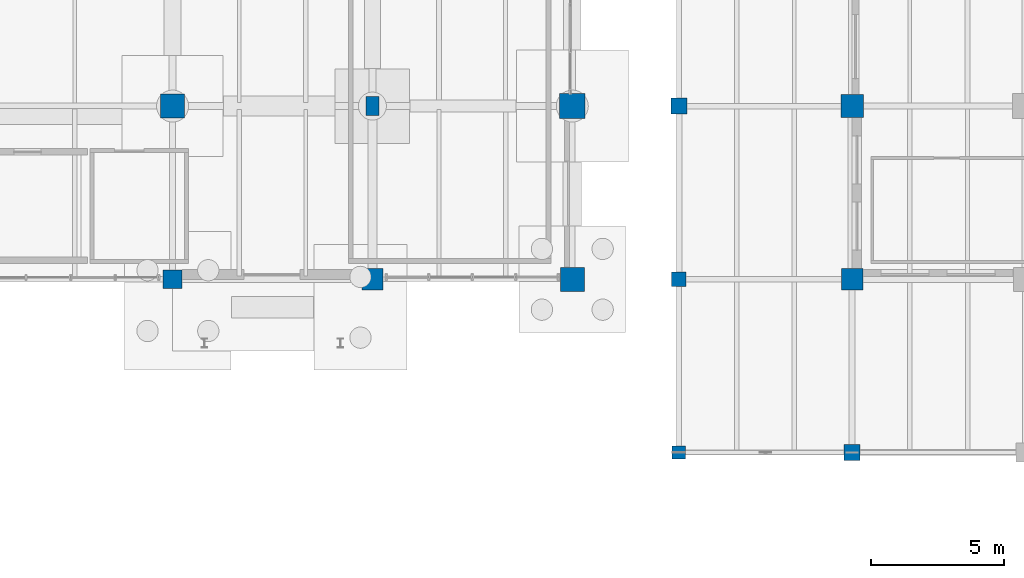
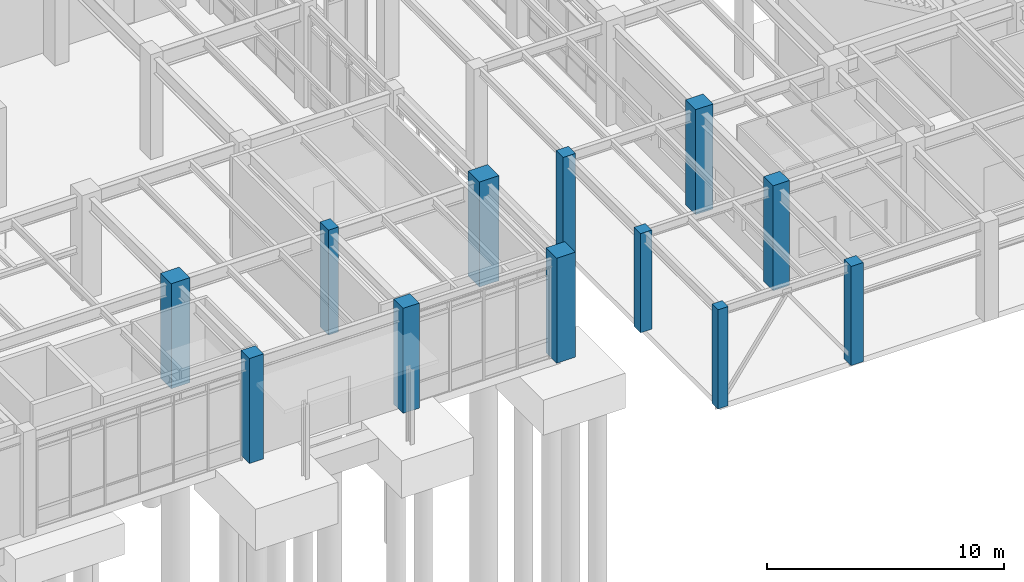
# One storey, part 8 of 203: 12 columns.
"""IFC4 building model written with IfcOpenShell, lengths in metres."""

from ifc_helpers import new_model, si_unit, direction, frame, origin, origin_2d, place, context, subcontext, project, spatial, rectangle, extrude, material, material_profile, profile_set, type_object, element, save


model = new_model("IFC4")

# Units and contexts
model_context = context("Model", 3, precision=1e-05, world=origin(), true_north=direction((0.0, 1.0)))
body_context = subcontext(model_context, "Body", "Model", "MODEL_VIEW")
ifc_project = project(units=[si_unit("LENGTHUNIT", "METRE"), si_unit("AREAUNIT", "SQUARE_METRE"), si_unit("VOLUMEUNIT", "CUBIC_METRE"), si_unit("PLANEANGLEUNIT", "RADIAN"), si_unit("MASSUNIT", "GRAM", prefix="KILO"), si_unit("THERMODYNAMICTEMPERATUREUNIT", "KELVIN"), si_unit("POWERUNIT", "WATT")], contexts=[model_context])

# Site, building, storey
site_placement = place(None, origin())
site = spatial("IfcSite", under=ifc_project, at=site_placement, CompositionType="ELEMENT")
building_placement = place(site_placement, origin())
building = spatial("IfcBuilding", under=site, at=building_placement, Name="Tepalcoro Natatorium and Aquatics Centre", CompositionType="ELEMENT")
storey_placement = place(building_placement, origin())
storey = spatial("IfcBuildingStorey", under=building, at=storey_placement, Name="L00", CompositionType="ELEMENT", Elevation=0.0)

# Columns
ifc_material = material(Name="Concrete C40/50 (fc 40 MPa)", Category="concrete")
ifc_material_profile_1 = material_profile(ifc_material, rectangle(XDim=0.5, YDim=0.5, at=origin_2d()), Name="RC500x500")
ifc_profile_set_1 = profile_set([ifc_material_profile_1], Name="Concrete C40/50 (fc 40 MPa)")
column_type_1 = type_object("IfcColumnType", Name="COL_RC_500x500", PredefinedType="COLUMN", material=ifc_profile_set_1)
column_1_placement = place(storey_placement, frame((40.0, 0.0, 0.0), z_axis=(0.0, 0.0, 1.0), x_axis=(1.0, 0.0, 0.0)))
element("IfcColumn", 1, at=column_1_placement, inside=storey, type_object=column_type_1, Name="V1 L00 Grid Column (40.0, 0.0)", PredefinedType="COLUMN", context=body_context, shape_type="SweptSolid", body=[
    extrude(rectangle(XDim=0.5, YDim=0.5, at=origin_2d()), origin(), (0.0, 0.0, 1.0), 5.10009765625),
])
ifc_material_profile_2 = material_profile(ifc_material, rectangle(XDim=0.5, YDim=0.699951171875, at=origin_2d()), Name="RC500x700")
ifc_profile_set_2 = profile_set([ifc_material_profile_2], Name="Concrete C40/50 (fc 40 MPa)")
column_type_2 = type_object("IfcColumnType", Name="COL_RC_500x700", PredefinedType="COLUMN", material=ifc_profile_set_2)
column_2_placement = place(storey_placement, frame((28.5, 13.0, 0.0), z_axis=(0.0, 0.0, 1.0), x_axis=(1.0, 0.0, 0.0)))
element("IfcColumn", 2, at=column_2_placement, inside=storey, type_object=column_type_2, Name="V3 L00 Grid Column (28.5, 13.0)", PredefinedType="COLUMN", context=body_context, shape_type="SweptSolid", body=[
    extrude(rectangle(XDim=0.5, YDim=0.699951171875, at=origin_2d()), origin(), (0.0, 0.0, 1.0), 5.39990234375),
])
ifc_material_profile_3 = material_profile(ifc_material, rectangle(XDim=0.550048828125, YDim=0.550048828125, at=origin_2d()), Name="RC550x550")
ifc_profile_set_3 = profile_set([ifc_material_profile_3], Name="Concrete C40/50 (fc 40 MPa)")
column_type_3 = type_object("IfcColumnType", Name="COL_RC_550x550", PredefinedType="COLUMN", material=ifc_profile_set_3)
column_3_placement = place(storey_placement, frame((40.0, 6.5, 0.0), z_axis=(0.0, 0.0, 1.0), x_axis=(1.0, 0.0, 0.0)))
element("IfcColumn", 3, at=column_3_placement, inside=storey, type_object=column_type_3, Name="V1 L00 Grid Column (40.0, 6.5)", PredefinedType="COLUMN", context=body_context, shape_type="SweptSolid", body=[
    extrude(rectangle(XDim=0.550048828125, YDim=0.550048828125, at=origin_2d()), origin(), (0.0, 0.0, 1.0), 5.10009765625),
])
ifc_material_profile_4 = material_profile(ifc_material, rectangle(XDim=0.60009765625, YDim=0.60009765625, at=origin_2d()), Name="RC600x600")
ifc_profile_set_4 = profile_set([ifc_material_profile_4], Name="Concrete C40/50 (fc 40 MPa)")
column_type_4 = type_object("IfcColumnType", Name="COL_RC_600x600", PredefinedType="COLUMN", material=ifc_profile_set_4)
for number, where, z_axis, x_axis, name in (
    (4, (40.0, 13.0, 0.0), (0.0, 0.0, 1.0), (1.0, 0.0, 0.0), "V1 L00 Grid Column (40.0, 13.0)"),
    (5, (46.5, 0.0, 0.0), (0.0, 0.0, 1.0), (1.0, 0.0, 0.0), "V1 L00 Grid Column (46.5, 0.0)"),
):
    element("IfcColumn", number, at=place(storey_placement, frame(where, z_axis=z_axis, x_axis=x_axis)), inside=storey, type_object=column_type_4, Name=name, PredefinedType="COLUMN", context=body_context, shape_type="SweptSolid", body=[
        extrude(rectangle(XDim=0.60009765625, YDim=0.60009765625, at=origin_2d()), origin(), (0.0, 0.0, 1.0), 5.10009765625),
    ])
ifc_material_profile_5 = material_profile(ifc_material, rectangle(XDim=0.699951171875, YDim=0.699951171875, at=origin_2d()), Name="RC700x700")
ifc_profile_set_5 = profile_set([ifc_material_profile_5], Name="Concrete C40/50 (fc 40 MPa)")
column_type_5 = type_object("IfcColumnType", Name="COL_RC_700x700", PredefinedType="COLUMN", material=ifc_profile_set_5)
column_4_placement = place(storey_placement, frame((21.0, 6.5, 0.0), z_axis=(0.0, 0.0, 1.0), x_axis=(1.0, 0.0, 0.0)))
element("IfcColumn", 6, at=column_4_placement, inside=storey, type_object=column_type_5, Name="V3 L00 Grid Column (21.0, 6.5)", PredefinedType="COLUMN", context=body_context, shape_type="SweptSolid", body=[
    extrude(rectangle(XDim=0.699951171875, YDim=0.699951171875, at=origin_2d()), origin(), (0.0, 0.0, 1.0), 5.39990234375),
])
ifc_material_profile_6 = material_profile(ifc_material, rectangle(XDim=0.800048828125, YDim=0.800048828125, at=origin_2d()), Name="RC800x800")
ifc_profile_set_6 = profile_set([ifc_material_profile_6], Name="Concrete C40/50 (fc 40 MPa)")
column_type_6 = type_object("IfcColumnType", Name="COL_RC_800x800", PredefinedType="COLUMN", material=ifc_profile_set_6)
for number, where, z_axis, x_axis, name in (
    (7, (46.5, 6.5, 0.0), (0.0, 0.0, 1.0), (1.0, 0.0, 0.0), "V1 L00 Grid Column (46.5, 6.5)"),
    (8, (28.5, 6.5, 0.0), (0.0, 0.0, 1.0), (1.0, 0.0, 0.0), "V3 L00 Grid Column (28.5, 6.5)"),
):
    element("IfcColumn", number, at=place(storey_placement, frame(where, z_axis=z_axis, x_axis=x_axis)), inside=storey, type_object=column_type_6, Name=name, PredefinedType="COLUMN", context=body_context, shape_type="SweptSolid", body=[
        extrude(rectangle(XDim=0.800048828125, YDim=0.800048828125, at=origin_2d()), origin(), (0.0, 0.0, 1.0), 5.39990234375),
    ])
ifc_material_profile_7 = material_profile(ifc_material, rectangle(XDim=0.85009765625, YDim=0.85009765625, at=origin_2d()), Name="RC850x850")
ifc_profile_set_7 = profile_set([ifc_material_profile_7], Name="Concrete C40/50 (fc 40 MPa)")
column_type_7 = type_object("IfcColumnType", Name="COL_RC_850x850", PredefinedType="COLUMN", material=ifc_profile_set_7)
column_5_placement = place(storey_placement, frame((46.5, 13.0, 0.0), z_axis=(0.0, 0.0, 1.0), x_axis=(1.0, 0.0, 0.0)))
element("IfcColumn", 9, at=column_5_placement, inside=storey, type_object=column_type_7, Name="V1 L00 Grid Column (46.5, 13.0)", PredefinedType="COLUMN", context=body_context, shape_type="SweptSolid", body=[
    extrude(rectangle(XDim=0.85009765625, YDim=0.85009765625, at=origin_2d()), origin(), (0.0, 0.0, 1.0), 5.39990234375),
])
ifc_material_profile_8 = material_profile(ifc_material, rectangle(XDim=0.89990234375, YDim=0.89990234375, at=origin_2d()), Name="RC900x900")
ifc_profile_set_8 = profile_set([ifc_material_profile_8], Name="Concrete C40/50 (fc 40 MPa)")
column_type_8 = type_object("IfcColumnType", Name="COL_RC_900x900", PredefinedType="COLUMN", material=ifc_profile_set_8)
for number, where, z_axis, x_axis, name in (
    (10, (21.0, 13.0, 0.0), (0.0, 0.0, 1.0), (1.0, 0.0, 0.0), "V3 L00 Grid Column (21.0, 13.0)"),
    (11, (36.0, 6.5, 0.0), (0.0, 0.0, 1.0), (1.0, 0.0, 0.0), "V3 L00 Grid Column (36.0, 6.5)"),
):
    element("IfcColumn", number, at=place(storey_placement, frame(where, z_axis=z_axis, x_axis=x_axis)), inside=storey, type_object=column_type_8, Name=name, PredefinedType="COLUMN", context=body_context, shape_type="SweptSolid", body=[
        extrude(rectangle(XDim=0.89990234375, YDim=0.89990234375, at=origin_2d()), origin(), (0.0, 0.0, 1.0), 5.39990234375),
    ])
ifc_material_profile_9 = material_profile(ifc_material, rectangle(XDim=0.949951171875, YDim=0.949951171875, at=origin_2d()), Name="RC950x950")
ifc_profile_set_9 = profile_set([ifc_material_profile_9], Name="Concrete C40/50 (fc 40 MPa)")
column_type_9 = type_object("IfcColumnType", Name="COL_RC_950x950", PredefinedType="COLUMN", material=ifc_profile_set_9)
column_6_placement = place(storey_placement, frame((36.0, 13.0, 0.0), z_axis=(0.0, 0.0, 1.0), x_axis=(1.0, 0.0, 0.0)))
element("IfcColumn", 12, at=column_6_placement, inside=storey, type_object=column_type_9, Name="V3 L00 Grid Column (36.0, 13.0)", PredefinedType="COLUMN", context=body_context, shape_type="SweptSolid", body=[
    extrude(rectangle(XDim=0.949951171875, YDim=0.949951171875, at=origin_2d()), origin(), (0.0, 0.0, 1.0), 5.39990234375),
])

save(model, "model.ifc")
